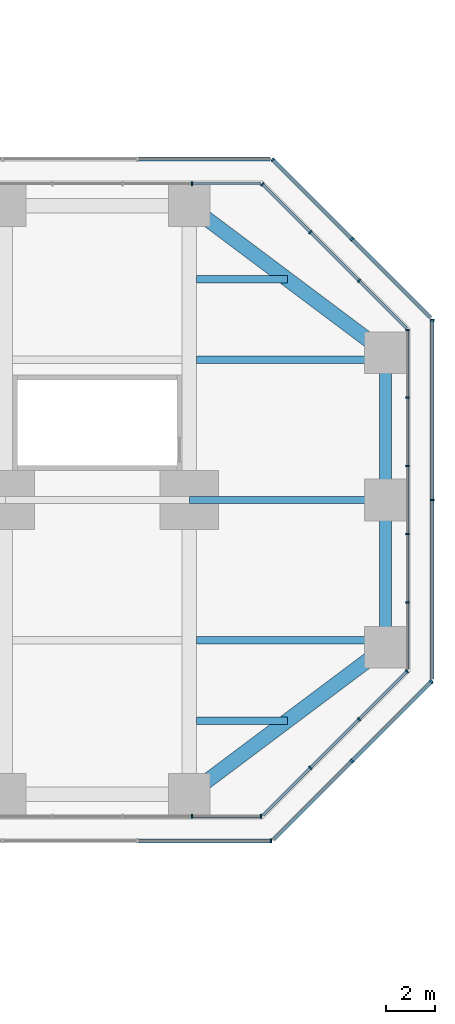
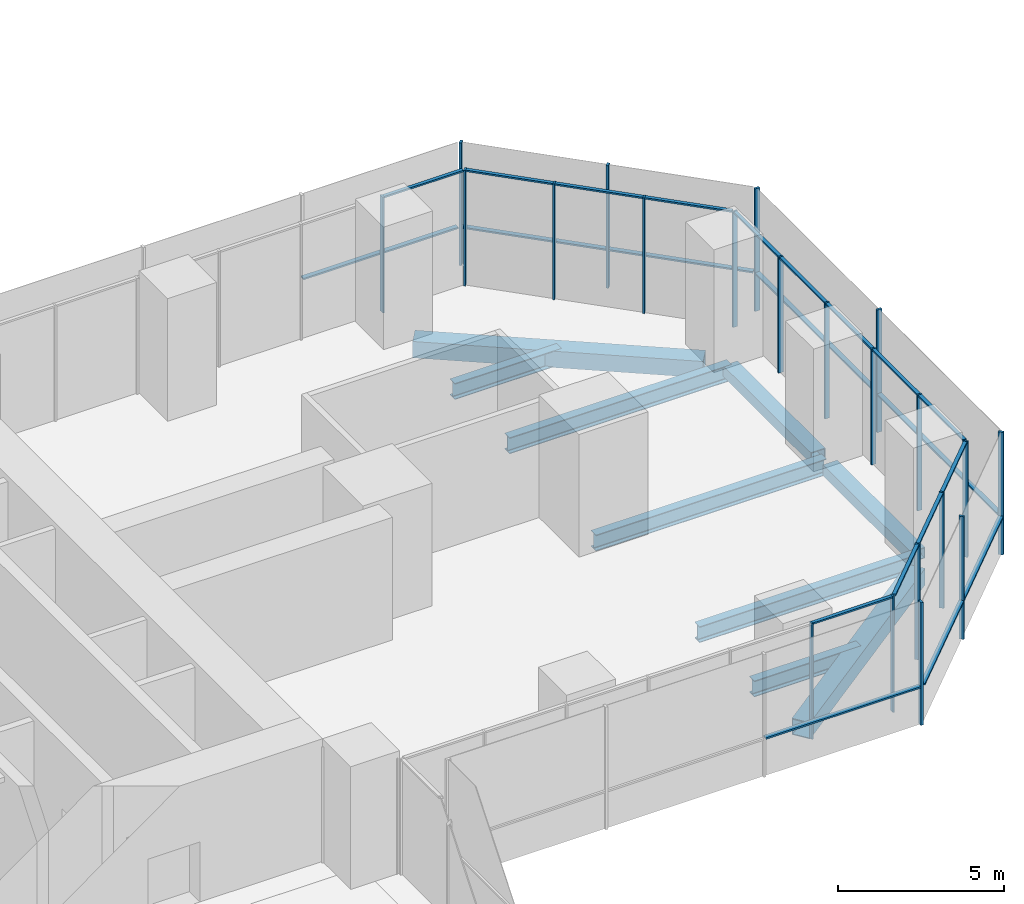
# One storey, part 11 of 21: 42 members, 9 beams, 10 elements without a shape of their own.
"""IFC4 building model written with IfcOpenShell, lengths in metres."""

import ifcopenshell
import ifcopenshell.guid

model = None  # the IFC model being written
_history = None  # IfcOwnerHistory: only IFC2X3 demands one
_inside = {}  # id of a spatial element -> (the spatial element, [elements in it])
_under = {}  # id of a project, library or spatial element -> (it, [spatial elements below it])
_declared = {}  # id of a project -> (the project, [libraries it declares])
_typed = {}  # id of a type object -> (the type object, [elements of that type])
_made_of = {}  # id of a material, layer set ... -> (it, [elements and type objects made of it])


def new_model(schema):
    """Start an empty IFC model of exactly this schema.

    Asked for "IFC4X3", IfcOpenShell would pick the latest addendum, in which some entities
    have other attributes; the version numbers below select the first issue.
    IFC2X3 requires an IfcOwnerHistory on every rooted entity: one is made here for all.
    """
    global model, _history
    if schema == "IFC4X3":
        model = ifcopenshell.file(schema_version=(4, 3, 0, 0))
    else:
        model = ifcopenshell.file(schema=schema)
    _inside.clear()
    _under.clear()
    _declared.clear()
    _typed.clear()
    _made_of.clear()
    _history = None
    if model.schema == "IFC2X3":
        org = make("IfcOrganization", Name="unknown")
        user = make(
            "IfcPersonAndOrganization",
            ThePerson=make("IfcPerson", FamilyName="unknown"),
            TheOrganization=org,
        )
        app = make(
            "IfcApplication",
            ApplicationDeveloper=org,
            Version="unknown",
            ApplicationFullName="unknown",
            ApplicationIdentifier="unknown",
        )
        _history = make(
            "IfcOwnerHistory",
            OwningUser=user,
            OwningApplication=app,
            ChangeAction="ADDED",
            CreationDate=0,
        )
    return model


def make(cls, **values):
    """One entity of the class cls with the attributes given. An attribute that is None is left unset."""
    return model.create_entity(
        cls, **{name: value for name, value in values.items() if value is not None}
    )


def rooted(cls, **values):
    """An entity with a GlobalId (a new one), such as an element, a storey or a relation."""
    return make(cls, GlobalId=ifcopenshell.guid.new(), OwnerHistory=_history, **values)


def si_unit(unit_type, name, prefix=None):
    """IfcSIUnit, for example si_unit("LENGTHUNIT", "METRE", prefix="MILLI")."""
    return make("IfcSIUnit", UnitType=unit_type, Prefix=prefix, Name=name)


def assignment(units):
    """IfcUnitAssignment: the units of a project."""
    return None if units is None else make("IfcUnitAssignment", Units=units)


def point(xyz):
    """IfcCartesianPoint."""
    return None if xyz is None else make("IfcCartesianPoint", Coordinates=xyz)


def direction(xyz):
    """IfcDirection."""
    return None if xyz is None else make("IfcDirection", DirectionRatios=xyz)


def frame(location, z_axis=None, x_axis=None):
    """IfcAxis2Placement3D, a coordinate frame: its origin and axes. An axis left out is left unset."""
    return make(
        "IfcAxis2Placement3D",
        Location=point(location),
        Axis=direction(z_axis),
        RefDirection=direction(x_axis),
    )


def frame_2d(location, x_axis=None):
    """IfcAxis2Placement2D, a coordinate frame in the plane: its origin and x axis."""
    return make(
        "IfcAxis2Placement2D", Location=point(location), RefDirection=direction(x_axis)
    )


def origin():
    """The frame at (0, 0, 0) with its axes left unset."""
    return frame((0.0, 0.0, 0.0))


def origin_2d():
    """The frame at (0, 0) in the plane with its x axis left unset."""
    return frame_2d((0.0, 0.0))


def place(relative_to, where):
    """IfcLocalPlacement: puts the frame where relative to a parent placement (None: the world)."""
    return make(
        "IfcLocalPlacement", PlacementRelTo=relative_to, RelativePlacement=where
    )


def context(
    kind, dimensions, precision=None, world=None, true_north=None, identifier=None
):
    """IfcGeometricRepresentationContext, for example the 3D "Model" context."""
    return make(
        "IfcGeometricRepresentationContext",
        ContextIdentifier=identifier,
        ContextType=kind,
        CoordinateSpaceDimension=dimensions,
        Precision=precision,
        WorldCoordinateSystem=world,
        TrueNorth=true_north,
    )


def subcontext(parent, identifier, kind, view, scale=None):
    """IfcGeometricRepresentationSubContext, for example "Body" below "Model"."""
    return make(
        "IfcGeometricRepresentationSubContext",
        ContextIdentifier=identifier,
        ContextType=kind,
        ParentContext=parent,
        TargetScale=scale,
        TargetView=view,
    )


def project(units=None, contexts=None):
    """IfcProject with its units and contexts."""
    return rooted(
        "IfcProject",
        Name="project",
        RepresentationContexts=contexts,
        UnitsInContext=assignment(units),
    )


def spatial(cls, under=None, at=None, **own):
    """A site, building, storey or space (cls), placed at a placement, below another one or the project."""
    s = rooted(cls, ObjectPlacement=at, **own)
    if under is not None:
        _under.setdefault(under.id(), (under, []))[1].append(s)
    return s


def profile(cls, at=None, kind="AREA", **sizes):
    """A parametric profile (cls). Its sizes go by their IFC names, for example OverallWidth=200.0."""
    return make(cls, ProfileType=kind, Position=at, **sizes)


def rectangle(**sizes):
    """IfcRectangleProfileDef."""
    return profile("IfcRectangleProfileDef", **sizes)


def hollow_rectangle(**sizes):
    """IfcRectangleHollowProfileDef."""
    return profile("IfcRectangleHollowProfileDef", **sizes)


def i_section(**sizes):
    """IfcIShapeProfileDef."""
    return profile("IfcIShapeProfileDef", **sizes)


def extrude(swept, where, along, depth):
    """IfcExtrudedAreaSolid: the profile swept, set in the frame where, extruded along a direction by depth."""
    return make(
        "IfcExtrudedAreaSolid",
        SweptArea=swept,
        Position=where,
        ExtrudedDirection=direction(along),
        Depth=depth,
    )


def shape(context_of_items, identifier, shape_type, items):
    """IfcShapeRepresentation: the items that make up one representation, for example the "Body"."""
    return make(
        "IfcShapeRepresentation",
        ContextOfItems=context_of_items,
        RepresentationIdentifier=identifier,
        RepresentationType=shape_type,
        Items=items,
    )


def material(Name=None, Category=None):
    """IfcMaterial."""
    return make("IfcMaterial", Name=Name, Category=Category)


def material_profile(
    of_material, cross_section, Name=None, Category=None, Priority=None
):
    """IfcMaterialProfile: a cross section and its material."""
    return make(
        "IfcMaterialProfile",
        Name=Name,
        Material=of_material,
        Profile=cross_section,
        Priority=Priority,
        Category=Category,
    )


def profile_set(profiles, Name=None, composite=None):
    """IfcMaterialProfileSet."""
    return make(
        "IfcMaterialProfileSet",
        Name=Name,
        MaterialProfiles=profiles,
        CompositeProfile=composite,
    )


def made_of(thing, what):
    """Note that an element or type object is made of a material, layer set ...; save() writes the relation."""
    if what is not None:
        _made_of.setdefault(what.id(), (what, []))[1].append(thing)
    return thing


def type_object(cls, material=None, **own):
    """A type object (cls), such as IfcWallType, which elements share."""
    return made_of(rooted(cls, **own), material)


def element(
    cls,
    number,
    at=None,
    inside=None,
    cuts=None,
    type_object=None,
    material=None,
    context=None,
    identifier="Body",
    shape_type=None,
    held_by="IfcProductDefinitionShape",
    body=None,
    shapes=None,
    **own,
):
    """One element of the class cls, such as IfcWall. Its Tag is "e" and its number.

    at: its placement. inside: the storey or other place that contains it. cuts: it is an
    opening in that element (IfcRelVoidsElement). A single representation is given by context,
    identifier, shape_type and body (its items); several are given by shapes. held_by: the class
    of the entity that holds the representations. save() writes the other relations.
    """
    e = rooted(cls, Tag="e%d" % number, ObjectPlacement=at, **own)
    if body is not None:
        shapes = [shape(context, identifier, shape_type, body)]
    if shapes is not None:
        e.Representation = make(held_by, Representations=shapes)
    if inside is not None:
        _inside.setdefault(inside.id(), (inside, []))[1].append(e)
    if cuts is not None:
        rooted(
            "IfcRelVoidsElement", RelatingBuildingElement=cuts, RelatedOpeningElement=e
        )
    if type_object is not None:
        _typed.setdefault(type_object.id(), (type_object, []))[1].append(e)
    return made_of(e, material)


def aggregate(whole, parts):
    """IfcRelAggregates: a whole, such as a stair, and the parts it consists of."""
    return rooted("IfcRelAggregates", RelatingObject=whole, RelatedObjects=parts)


def save(model, path):
    """Write the relations noted so far, then the file.

    IfcRelAggregates (storeys below a building ...), IfcRelContainedInSpatialStructure (elements
    in a storey), IfcRelDefinesByType, IfcRelAssociatesMaterial and IfcRelDeclares: one each for
    every whole, place, type object, material and project.
    """
    for whole, parts in _under.values():
        aggregate(whole, parts)
    for where, things in _inside.values():
        rooted(
            "IfcRelContainedInSpatialStructure",
            RelatedElements=things,
            RelatingStructure=where,
        )
    for kind, things in _typed.values():
        rooted("IfcRelDefinesByType", RelatedObjects=things, RelatingType=kind)
    for what, things in _made_of.values():
        rooted("IfcRelAssociatesMaterial", RelatedObjects=things, RelatingMaterial=what)
    for by, libraries in _declared.values():
        rooted("IfcRelDeclares", RelatingContext=by, RelatedDefinitions=libraries)
    model.write(path)


model = new_model("IFC4")

# Units and contexts
model_context = context("Model", 3, precision=1e-05, world=origin(), true_north=direction((0.0, 1.0)))
body_context = subcontext(model_context, "Body", "Model", "MODEL_VIEW")
ifc_project = project(units=[si_unit("LENGTHUNIT", "METRE"), si_unit("AREAUNIT", "SQUARE_METRE"), si_unit("VOLUMEUNIT", "CUBIC_METRE"), si_unit("PLANEANGLEUNIT", "RADIAN"), si_unit("MASSUNIT", "GRAM", prefix="KILO")], contexts=[model_context])

# Site, building, storey
site_placement = place(None, origin())
site = spatial("IfcSite", under=ifc_project, at=site_placement, CompositionType="ELEMENT")
building_placement = place(site_placement, origin())
building = spatial("IfcBuilding", under=site, at=building_placement, Name="Mizan Broadcast Tower", CompositionType="ELEMENT")
storey_placement = place(building_placement, frame((0.0, 0.0, 33.0)))
storey = spatial("IfcBuildingStorey", under=building, at=storey_placement, Name="L05", CompositionType="ELEMENT", Elevation=33.0)

# Beams
ifc_material_1 = material(Name="Steel S355", Category="steel")
ifc_material_profile_1 = material_profile(ifc_material_1, hollow_rectangle(XDim=0.5, YDim=0.39990234375, WallThickness=0.02490234375, at=origin_2d()), Name="BOX 400x500x25")
ifc_profile_set_1 = profile_set([ifc_material_profile_1], Name="Steel S355")
beam_type_1 = type_object("IfcBeamType", Name="EDGE BEAM BOX 400x500x25", PredefinedType="SPANDREL", material=ifc_profile_set_1)
for number, where, z_axis, x_axis, name in (
    (1, (35.0, -5.639892578125, -0.449951171875), (0.0, 1.0, 0.0), (-1.0, 0.0, 0.0), "Edge beam BOX 400x500x25 L05 east arm"),
    (2, (35.0, 5.639892578125, -0.449951171875), (0.0, -1.0, 0.0), (1.0, 0.0, 0.0), "Edge beam BOX 400x500x25 L05 east arm"),
):
    element("IfcBeam", number, at=place(storey_placement, frame(where, z_axis=z_axis, x_axis=x_axis)), inside=storey, type_object=beam_type_1, Name=name, PredefinedType="SPANDREL", context=body_context, shape_type="SweptSolid", body=[
        extrude(hollow_rectangle(XDim=0.5, YDim=0.39990234375, WallThickness=0.02490234375, at=origin_2d()), origin(), (0.0, 0.0, 1.0), 5.27978515625),
    ])
ifc_material_2 = material(Name="Steel S355", Category="steel")
ifc_material_profile_2 = material_profile(ifc_material_2, hollow_rectangle(XDim=0.60009765625, YDim=0.60009765625, WallThickness=0.030029296875, at=origin_2d()), Name="BOX 600x600x30")
ifc_profile_set_2 = profile_set([ifc_material_profile_2], Name="Steel S355")
beam_type_2 = type_object("IfcBeamType", Name="EDGE BEAM BOX 600x600x30", PredefinedType="SPANDREL", material=ifc_profile_set_2)
for number, where, z_axis, x_axis, name in (
    (3, (27.47998046875, -11.639892578125, -0.550048828125), (0.800013316712, 0.599982243973, 0.0), (-0.599982243973, 0.800013316712, 0.0), "Edge beam BOX 600x600x30 L05 east arm"),
    (4, (27.47998046875, 11.639892578125, -0.550048828125), (0.800013316712, -0.599982243973, 0.0), (0.599982243973, 0.800013316712, 0.0), "Edge beam BOX 600x600x30 L05 east arm"),
):
    element("IfcBeam", number, at=place(storey_placement, frame(where, z_axis=z_axis, x_axis=x_axis)), inside=storey, type_object=beam_type_2, Name=name, PredefinedType="SPANDREL", context=body_context, shape_type="SweptSolid", body=[
        extrude(hollow_rectangle(XDim=0.60009765625, YDim=0.60009765625, WallThickness=0.030029296875, at=origin_2d()), origin(), (0.0, 0.0, 1.0), 8.7998046875),
    ])

# Curtain wall, members
ifc_material_3 = material(Name="Aluminium framed glazing", Category="aluminium")
curtain_wall_type_1 = type_object("IfcCurtainWallType", Name="PODIUM CURTAIN WALL", PredefinedType="USERDEFINED", material=ifc_material_3)
curtain_wall_1_placement = place(storey_placement, origin())
curtain_wall_1 = element("IfcCurtainWall", 5, at=curtain_wall_1_placement, inside=storey, type_object=curtain_wall_type_1, Name="Podium curtain wall L05 E side", ObjectType="PODIUM CURTAIN WALL", PredefinedType="USERDEFINED")
ifc_material_4 = material(Name="Aluminium, pale anodised", Category="aluminium")
ifc_material_profile_3 = material_profile(ifc_material_4, rectangle(XDim=0.159912109375, YDim=0.06005859375, at=origin_2d()), Name="MULLION 160x60")
ifc_profile_set_3 = profile_set([ifc_material_profile_3], Name="Aluminium, pale anodised")
member_type_1 = type_object("IfcMemberType", Name="INNER SKIN MULLION 60x160", PredefinedType="MULLION", material=ifc_profile_set_3)
member_1_placement = place(storey_placement, frame((27.115478515625, -12.89990234375, 0.0), z_axis=(0.0, 0.0, 1.0), x_axis=(0.0, 1.0, 0.0)))
member_1 = element("IfcMember", 6, at=member_1_placement, type_object=member_type_1, Name="Podium curtain wall L05 E side mullion 6", PredefinedType="MULLION", context=body_context, shape_type="SweptSolid", body=[
    extrude(rectangle(XDim=0.159912109375, YDim=0.06005859375, at=origin_2d()), origin(), (0.0, 0.0, 1.0), 4.25),
])
member_2_placement = place(storey_placement, frame((29.928466796875, -12.89990234375, 0.0), z_axis=(0.0, 0.0, 1.0), x_axis=(0.0, 1.0, 0.0)))
member_2 = element("IfcMember", 7, at=member_2_placement, type_object=member_type_1, Name="Podium curtain wall L05 E side mullion 7", PredefinedType="MULLION", context=body_context, shape_type="SweptSolid", body=[
    extrude(rectangle(XDim=0.159912109375, YDim=0.06005859375, at=origin_2d()), origin(), (0.0, 0.0, 1.0), 4.25),
])

curtain_wall_2_placement = place(storey_placement, origin())
curtain_wall_2 = element("IfcCurtainWall", 8, at=curtain_wall_2_placement, inside=storey, type_object=curtain_wall_type_1, Name="Podium curtain wall L05 E chamfer", ObjectType="PODIUM CURTAIN WALL", PredefinedType="USERDEFINED")
member_3_placement = place(storey_placement, frame((31.93896484375, -10.91943359375, 0.0), z_axis=(0.0, 0.0, 1.0), x_axis=(-0.707106781187, 0.707106781187, 0.0)))
member_3 = element("IfcMember", 9, at=member_3_placement, type_object=member_type_1, Name="Podium curtain wall L05 E chamfer mullion 2", PredefinedType="MULLION", context=body_context, shape_type="SweptSolid", body=[
    extrude(rectangle(XDim=0.159912109375, YDim=0.06005859375, at=origin_2d()), origin(), (0.0, 0.0, 1.0), 4.25),
])
member_4_placement = place(storey_placement, frame((33.91943359375, -8.93896484375, 0.0), z_axis=(0.0, 0.0, 1.0), x_axis=(-0.707106781187, 0.707106781187, 0.0)))
member_4 = element("IfcMember", 10, at=member_4_placement, type_object=member_type_1, Name="Podium curtain wall L05 E chamfer mullion 3", PredefinedType="MULLION", context=body_context, shape_type="SweptSolid", body=[
    extrude(rectangle(XDim=0.159912109375, YDim=0.06005859375, at=origin_2d()), origin(), (0.0, 0.0, 1.0), 4.25),
])
member_5_placement = place(storey_placement, frame((35.87890625, -6.979736328125, 0.0), z_axis=(0.0, 0.0, 1.0), x_axis=(-0.707106781187, 0.707106781187, 0.0)))
member_5 = element("IfcMember", 11, at=member_5_placement, type_object=member_type_1, Name="Podium curtain wall L05 E chamfer mullion 4", PredefinedType="MULLION", context=body_context, shape_type="SweptSolid", body=[
    extrude(rectangle(XDim=0.159912109375, YDim=0.06005859375, at=origin_2d()), origin(), (0.0, 0.0, 1.0), 4.25),
])

curtain_wall_3_placement = place(storey_placement, origin())
curtain_wall_3 = element("IfcCurtainWall", 12, at=curtain_wall_3_placement, inside=storey, type_object=curtain_wall_type_1, Name="Podium curtain wall L05 E end", ObjectType="PODIUM CURTAIN WALL", PredefinedType="USERDEFINED")
member_6_placement = place(storey_placement, frame((35.89990234375, -4.175048828125, 0.0), z_axis=(0.0, 0.0, 1.0), x_axis=(-1.0, 0.0, 0.0)))
member_6 = element("IfcMember", 13, at=member_6_placement, type_object=member_type_1, Name="Podium curtain wall L05 E end mullion 2", PredefinedType="MULLION", context=body_context, shape_type="SweptSolid", body=[
    extrude(rectangle(XDim=0.159912109375, YDim=0.06005859375, at=origin_2d()), origin(), (0.0, 0.0, 1.0), 4.25),
])
member_7_placement = place(storey_placement, frame((35.89990234375, -1.3916015625, 0.0), z_axis=(0.0, 0.0, 1.0), x_axis=(-1.0, 0.0, 0.0)))
member_7 = element("IfcMember", 14, at=member_7_placement, type_object=member_type_1, Name="Podium curtain wall L05 E end mullion 3", PredefinedType="MULLION", context=body_context, shape_type="SweptSolid", body=[
    extrude(rectangle(XDim=0.159912109375, YDim=0.06005859375, at=origin_2d()), origin(), (0.0, 0.0, 1.0), 4.25),
])
member_8_placement = place(storey_placement, frame((35.89990234375, 1.3916015625, 0.0), z_axis=(0.0, 0.0, 1.0), x_axis=(-1.0, 0.0, 0.0)))
member_8 = element("IfcMember", 15, at=member_8_placement, type_object=member_type_1, Name="Podium curtain wall L05 E end mullion 4", PredefinedType="MULLION", context=body_context, shape_type="SweptSolid", body=[
    extrude(rectangle(XDim=0.159912109375, YDim=0.06005859375, at=origin_2d()), origin(), (0.0, 0.0, 1.0), 4.25),
])
member_9_placement = place(storey_placement, frame((35.89990234375, 4.175048828125, 0.0), z_axis=(0.0, 0.0, 1.0), x_axis=(-1.0, 0.0, 0.0)))
member_9 = element("IfcMember", 16, at=member_9_placement, type_object=member_type_1, Name="Podium curtain wall L05 E end mullion 5", PredefinedType="MULLION", context=body_context, shape_type="SweptSolid", body=[
    extrude(rectangle(XDim=0.159912109375, YDim=0.06005859375, at=origin_2d()), origin(), (0.0, 0.0, 1.0), 4.25),
])
member_10_placement = place(storey_placement, frame((35.89990234375, 6.928466796875, 0.0), z_axis=(0.0, 0.0, 1.0), x_axis=(-1.0, 0.0, 0.0)))
member_10 = element("IfcMember", 17, at=member_10_placement, type_object=member_type_1, Name="Podium curtain wall L05 E end mullion 6", PredefinedType="MULLION", context=body_context, shape_type="SweptSolid", body=[
    extrude(rectangle(XDim=0.159912109375, YDim=0.06005859375, at=origin_2d()), origin(), (0.0, 0.0, 1.0), 4.25),
])

curtain_wall_4_placement = place(storey_placement, origin())
curtain_wall_4 = element("IfcCurtainWall", 18, at=curtain_wall_4_placement, inside=storey, type_object=curtain_wall_type_1, Name="Podium curtain wall L05 E chamfer", ObjectType="PODIUM CURTAIN WALL", PredefinedType="USERDEFINED")
member_11_placement = place(storey_placement, frame((33.91943359375, 8.93896484375, 0.0), z_axis=(0.0, 0.0, 1.0), x_axis=(-0.707106781187, -0.707106781187, 0.0)))
member_11 = element("IfcMember", 19, at=member_11_placement, type_object=member_type_1, Name="Podium curtain wall L05 E chamfer mullion 2", PredefinedType="MULLION", context=body_context, shape_type="SweptSolid", body=[
    extrude(rectangle(XDim=0.159912109375, YDim=0.06005859375, at=origin_2d()), origin(), (0.0, 0.0, 1.0), 4.25),
])
member_12_placement = place(storey_placement, frame((31.93896484375, 10.91943359375, 0.0), z_axis=(0.0, 0.0, 1.0), x_axis=(-0.707106781187, -0.707106781187, 0.0)))
member_12 = element("IfcMember", 20, at=member_12_placement, type_object=member_type_1, Name="Podium curtain wall L05 E chamfer mullion 3", PredefinedType="MULLION", context=body_context, shape_type="SweptSolid", body=[
    extrude(rectangle(XDim=0.159912109375, YDim=0.06005859375, at=origin_2d()), origin(), (0.0, 0.0, 1.0), 4.25),
])
member_13_placement = place(storey_placement, frame((29.979736328125, 12.87890625, 0.0), z_axis=(0.0, 0.0, 1.0), x_axis=(-0.707106781187, -0.707106781187, 0.0)))
member_13 = element("IfcMember", 21, at=member_13_placement, type_object=member_type_1, Name="Podium curtain wall L05 E chamfer mullion 4", PredefinedType="MULLION", context=body_context, shape_type="SweptSolid", body=[
    extrude(rectangle(XDim=0.159912109375, YDim=0.06005859375, at=origin_2d()), origin(), (0.0, 0.0, 1.0), 4.25),
])

# Curtain wall, member
curtain_wall_5_placement = place(storey_placement, origin())
curtain_wall_5 = element("IfcCurtainWall", 22, at=curtain_wall_5_placement, inside=storey, type_object=curtain_wall_type_1, Name="Podium curtain wall L05 E side", ObjectType="PODIUM CURTAIN WALL", PredefinedType="USERDEFINED")
member_14_placement = place(storey_placement, frame((27.115478515625, 12.89990234375, 0.0), z_axis=(0.0, 0.0, 1.0), x_axis=(0.0, -1.0, 0.0)))
member_14 = element("IfcMember", 23, at=member_14_placement, type_object=member_type_1, Name="Podium curtain wall L05 E side mullion 2", PredefinedType="MULLION", context=body_context, shape_type="SweptSolid", body=[
    extrude(rectangle(XDim=0.159912109375, YDim=0.06005859375, at=origin_2d()), origin(), (0.0, 0.0, 1.0), 4.25),
])

# Member
ifc_material_5 = material(Name="Aluminium, pale anodised", Category="aluminium")
ifc_material_profile_4 = material_profile(ifc_material_5, rectangle(XDim=0.1201171875, YDim=0.06005859375, at=origin_2d()), Name="TRANSOM 120x60")
ifc_profile_set_4 = profile_set([ifc_material_profile_4], Name="Aluminium, pale anodised")
member_type_2 = type_object("IfcMemberType", Name="INNER SKIN TRANSOM 60x120", PredefinedType="USERDEFINED", material=ifc_profile_set_4)
member_15_placement = place(storey_placement, frame((27.1455078125, -12.89990234375, 4.219970703125), z_axis=(1.0, 0.0, 0.0), x_axis=(0.0, 1.0, 0.0)))
member_15 = element("IfcMember", 24, at=member_15_placement, type_object=member_type_2, Name="Podium curtain wall L05 E side transom 6.1", ObjectType="TRANSOM", PredefinedType="USERDEFINED", context=body_context, shape_type="SweptSolid", body=[
    extrude(rectangle(XDim=0.1201171875, YDim=0.06005859375, at=origin_2d()), origin(), (0.0, 0.0, 1.0), 2.753173828125),
])

aggregate(curtain_wall_1, [member_1, member_2, member_15])

member_16_placement = place(storey_placement, frame((30.0009765625, -12.857666015625, 4.219970703125), z_axis=(0.707061749709, 0.707151809797, 0.0), x_axis=(-0.707151809797, 0.707061749709, 0.0)))
member_16 = element("IfcMember", 25, at=member_16_placement, type_object=member_type_2, Name="Podium curtain wall L05 E chamfer transom 1.1", ObjectType="TRANSOM", PredefinedType="USERDEFINED", context=body_context, shape_type="SweptSolid", body=[
    extrude(rectangle(XDim=0.1201171875, YDim=0.06005859375, at=origin_2d()), origin(), (0.0, 0.0, 1.0), 2.7109375),
])

member_17_placement = place(storey_placement, frame((31.960205078125, -10.898193359375, 4.219970703125), z_axis=(0.707106781187, 0.707106781187, 0.0), x_axis=(-0.707106781187, 0.707106781187, 0.0)))
member_17 = element("IfcMember", 26, at=member_17_placement, type_object=member_type_2, Name="Podium curtain wall L05 E chamfer transom 2.1", ObjectType="TRANSOM", PredefinedType="USERDEFINED", context=body_context, shape_type="SweptSolid", body=[
    extrude(rectangle(XDim=0.1201171875, YDim=0.06005859375, at=origin_2d()), origin(), (0.0, 0.0, 1.0), 2.74072265625),
])

member_18_placement = place(storey_placement, frame((33.940673828125, -8.917724609375, 4.219970703125), z_axis=(0.707151809797, 0.707061749709, 0.0), x_axis=(-0.707061749709, 0.707151809797, 0.0)))
member_18 = element("IfcMember", 27, at=member_18_placement, type_object=member_type_2, Name="Podium curtain wall L05 E chamfer transom 3.1", ObjectType="TRANSOM", PredefinedType="USERDEFINED", context=body_context, shape_type="SweptSolid", body=[
    extrude(rectangle(XDim=0.1201171875, YDim=0.06005859375, at=origin_2d()), origin(), (0.0, 0.0, 1.0), 2.7109375),
])

aggregate(curtain_wall_2, [member_3, member_4, member_5, member_16, member_17, member_18])

member_19_placement = place(storey_placement, frame((35.89990234375, -6.898681640625, 4.219970703125), z_axis=(0.0, 1.0, 0.0), x_axis=(-1.0, 0.0, 0.0)))
member_19 = element("IfcMember", 28, at=member_19_placement, type_object=member_type_2, Name="Podium curtain wall L05 E end transom 1.1", ObjectType="TRANSOM", PredefinedType="USERDEFINED", context=body_context, shape_type="SweptSolid", body=[
    extrude(rectangle(XDim=0.1201171875, YDim=0.06005859375, at=origin_2d()), origin(), (0.0, 0.0, 1.0), 2.693603515625),
])

member_20_placement = place(storey_placement, frame((35.89990234375, -4.145263671875, 4.219970703125), z_axis=(0.0, 1.0, 0.0), x_axis=(-1.0, 0.0, 0.0)))
member_20 = element("IfcMember", 29, at=member_20_placement, type_object=member_type_2, Name="Podium curtain wall L05 E end transom 2.1", ObjectType="TRANSOM", PredefinedType="USERDEFINED", context=body_context, shape_type="SweptSolid", body=[
    extrude(rectangle(XDim=0.1201171875, YDim=0.06005859375, at=origin_2d()), origin(), (0.0, 0.0, 1.0), 2.7236328125),
])

member_21_placement = place(storey_placement, frame((35.89990234375, -1.36181640625, 4.219970703125), z_axis=(0.0, 1.0, 0.0), x_axis=(-1.0, 0.0, 0.0)))
member_21 = element("IfcMember", 30, at=member_21_placement, type_object=member_type_2, Name="Podium curtain wall L05 E end transom 3.1", ObjectType="TRANSOM", PredefinedType="USERDEFINED", context=body_context, shape_type="SweptSolid", body=[
    extrude(rectangle(XDim=0.1201171875, YDim=0.06005859375, at=origin_2d()), origin(), (0.0, 0.0, 1.0), 2.7236328125),
])

member_22_placement = place(storey_placement, frame((35.89990234375, 1.421630859375, 4.219970703125), z_axis=(0.0, 1.0, 0.0), x_axis=(-1.0, 0.0, 0.0)))
member_22 = element("IfcMember", 31, at=member_22_placement, type_object=member_type_2, Name="Podium curtain wall L05 E end transom 4.1", ObjectType="TRANSOM", PredefinedType="USERDEFINED", context=body_context, shape_type="SweptSolid", body=[
    extrude(rectangle(XDim=0.1201171875, YDim=0.06005859375, at=origin_2d()), origin(), (0.0, 0.0, 1.0), 2.7236328125),
])

member_23_placement = place(storey_placement, frame((35.89990234375, 4.205078125, 4.219970703125), z_axis=(0.0, 1.0, 0.0), x_axis=(-1.0, 0.0, 0.0)))
member_23 = element("IfcMember", 32, at=member_23_placement, type_object=member_type_2, Name="Podium curtain wall L05 E end transom 5.1", ObjectType="TRANSOM", PredefinedType="USERDEFINED", context=body_context, shape_type="SweptSolid", body=[
    extrude(rectangle(XDim=0.1201171875, YDim=0.06005859375, at=origin_2d()), origin(), (0.0, 0.0, 1.0), 2.693603515625),
])

aggregate(curtain_wall_3, [member_6, member_7, member_8, member_9, member_10, member_19, member_20, member_21, member_22, member_23])

member_24_placement = place(storey_placement, frame((35.857666015625, 7.0009765625, 4.219970703125), z_axis=(-0.707151809797, 0.707061749709, 0.0), x_axis=(-0.707061749709, -0.707151809797, 0.0)))
member_24 = element("IfcMember", 33, at=member_24_placement, type_object=member_type_2, Name="Podium curtain wall L05 E chamfer transom 1.1", ObjectType="TRANSOM", PredefinedType="USERDEFINED", context=body_context, shape_type="SweptSolid", body=[
    extrude(rectangle(XDim=0.1201171875, YDim=0.06005859375, at=origin_2d()), origin(), (0.0, 0.0, 1.0), 2.7109375),
])

member_25_placement = place(storey_placement, frame((33.898193359375, 8.960205078125, 4.219970703125), z_axis=(-0.707106781187, 0.707106781187, 0.0), x_axis=(-0.707106781187, -0.707106781187, 0.0)))
member_25 = element("IfcMember", 34, at=member_25_placement, type_object=member_type_2, Name="Podium curtain wall L05 E chamfer transom 2.1", ObjectType="TRANSOM", PredefinedType="USERDEFINED", context=body_context, shape_type="SweptSolid", body=[
    extrude(rectangle(XDim=0.1201171875, YDim=0.06005859375, at=origin_2d()), origin(), (0.0, 0.0, 1.0), 2.74072265625),
])

member_26_placement = place(storey_placement, frame((31.917724609375, 10.940673828125, 4.219970703125), z_axis=(-0.707061749709, 0.707151809797, 0.0), x_axis=(-0.707151809797, -0.707061749709, 0.0)))
member_26 = element("IfcMember", 35, at=member_26_placement, type_object=member_type_2, Name="Podium curtain wall L05 E chamfer transom 3.1", ObjectType="TRANSOM", PredefinedType="USERDEFINED", context=body_context, shape_type="SweptSolid", body=[
    extrude(rectangle(XDim=0.1201171875, YDim=0.06005859375, at=origin_2d()), origin(), (0.0, 0.0, 1.0), 2.7109375),
])

aggregate(curtain_wall_4, [member_11, member_12, member_13, member_24, member_25, member_26])

member_27_placement = place(storey_placement, frame((29.898681640625, 12.89990234375, 4.219970703125), z_axis=(-1.0, 0.0, 0.0), x_axis=(0.0, -1.0, 0.0)))
member_27 = element("IfcMember", 36, at=member_27_placement, type_object=member_type_2, Name="Podium curtain wall L05 E side transom 1.1", ObjectType="TRANSOM", PredefinedType="USERDEFINED", context=body_context, shape_type="SweptSolid", body=[
    extrude(rectangle(XDim=0.1201171875, YDim=0.06005859375, at=origin_2d()), origin(), (0.0, 0.0, 1.0), 2.753173828125),
])

aggregate(curtain_wall_5, [member_14, member_27])

# Curtain wall, member
ifc_material_6 = material(Name="Aluminium framed glazing", Category="aluminium")
curtain_wall_type_2 = type_object("IfcCurtainWallType", Name="OUTER SKIN", PredefinedType="USERDEFINED", material=ifc_material_6)
curtain_wall_6_placement = place(storey_placement, origin())
curtain_wall_6 = element("IfcCurtainWall", 37, at=curtain_wall_6_placement, inside=storey, type_object=curtain_wall_type_2, Name="Outer skin L05 E side", ObjectType="OUTER SKIN", PredefinedType="USERDEFINED")
ifc_material_7 = material(Name="Aluminium, pale anodised", Category="aluminium")
ifc_material_profile_5 = material_profile(ifc_material_7, rectangle(XDim=0.159912109375, YDim=0.080078125, at=origin_2d()), Name="MULLION 160x80")
ifc_profile_set_5 = profile_set([ifc_material_profile_5], Name="Aluminium, pale anodised")
member_type_3 = type_object("IfcMemberType", Name="OUTER SKIN MULLION 80x160", PredefinedType="MULLION", material=ifc_profile_set_5)
member_28_placement = place(storey_placement, frame((30.332763671875, -13.89990234375, 0.0), z_axis=(0.0, 0.0, 1.0), x_axis=(0.0, 1.0, 0.0)))
member_28 = element("IfcMember", 38, at=member_28_placement, type_object=member_type_3, Name="Outer skin L05 E side mullion 4", PredefinedType="MULLION", context=body_context, shape_type="SweptSolid", body=[
    extrude(rectangle(XDim=0.159912109375, YDim=0.080078125, at=origin_2d()), origin(), (0.0, 0.0, 1.0), 4.5),
])

# Curtain wall, members
curtain_wall_7_placement = place(storey_placement, origin())
curtain_wall_7 = element("IfcCurtainWall", 39, at=curtain_wall_7_placement, inside=storey, type_object=curtain_wall_type_2, Name="Outer skin L05 E chamfer", ObjectType="OUTER SKIN", PredefinedType="USERDEFINED")
member_29_placement = place(storey_placement, frame((33.636474609375, -10.636474609375, 0.0), z_axis=(0.0, 0.0, 1.0), x_axis=(-0.707106781187, 0.707106781187, 0.0)))
member_29 = element("IfcMember", 40, at=member_29_placement, type_object=member_type_3, Name="Outer skin L05 E chamfer mullion 2", PredefinedType="MULLION", context=body_context, shape_type="SweptSolid", body=[
    extrude(rectangle(XDim=0.159912109375, YDim=0.080078125, at=origin_2d()), origin(), (0.0, 0.0, 1.0), 4.5),
])
member_30_placement = place(storey_placement, frame((36.871826171875, -7.401123046875, 0.0), z_axis=(0.0, 0.0, 1.0), x_axis=(-0.707106781187, 0.707106781187, 0.0)))
member_30 = element("IfcMember", 41, at=member_30_placement, type_object=member_type_3, Name="Outer skin L05 E chamfer mullion 3", PredefinedType="MULLION", context=body_context, shape_type="SweptSolid", body=[
    extrude(rectangle(XDim=0.159912109375, YDim=0.080078125, at=origin_2d()), origin(), (0.0, 0.0, 1.0), 4.5),
])

curtain_wall_8_placement = place(storey_placement, origin())
curtain_wall_8 = element("IfcCurtainWall", 42, at=curtain_wall_8_placement, inside=storey, type_object=curtain_wall_type_2, Name="Outer skin L05 E end", ObjectType="OUTER SKIN", PredefinedType="USERDEFINED")
member_31_placement = place(storey_placement, frame((36.89990234375, 0.0, 0.0), z_axis=(0.0, 0.0, 1.0), x_axis=(-1.0, 0.0, 0.0)))
member_31 = element("IfcMember", 43, at=member_31_placement, type_object=member_type_3, Name="Outer skin L05 E end mullion 2", PredefinedType="MULLION", context=body_context, shape_type="SweptSolid", body=[
    extrude(rectangle(XDim=0.159912109375, YDim=0.080078125, at=origin_2d()), origin(), (0.0, 0.0, 1.0), 4.5),
])
member_32_placement = place(storey_placement, frame((36.89990234375, 7.332763671875, 0.0), z_axis=(0.0, 0.0, 1.0), x_axis=(-1.0, 0.0, 0.0)))
member_32 = element("IfcMember", 44, at=member_32_placement, type_object=member_type_3, Name="Outer skin L05 E end mullion 3", PredefinedType="MULLION", context=body_context, shape_type="SweptSolid", body=[
    extrude(rectangle(XDim=0.159912109375, YDim=0.080078125, at=origin_2d()), origin(), (0.0, 0.0, 1.0), 4.5),
])

curtain_wall_9_placement = place(storey_placement, origin())
curtain_wall_9 = element("IfcCurtainWall", 45, at=curtain_wall_9_placement, inside=storey, type_object=curtain_wall_type_2, Name="Outer skin L05 E chamfer", ObjectType="OUTER SKIN", PredefinedType="USERDEFINED")
member_33_placement = place(storey_placement, frame((33.636474609375, 10.636474609375, 0.0), z_axis=(0.0, 0.0, 1.0), x_axis=(-0.707106781187, -0.707106781187, 0.0)))
member_33 = element("IfcMember", 46, at=member_33_placement, type_object=member_type_3, Name="Outer skin L05 E chamfer mullion 2", PredefinedType="MULLION", context=body_context, shape_type="SweptSolid", body=[
    extrude(rectangle(XDim=0.159912109375, YDim=0.080078125, at=origin_2d()), origin(), (0.0, 0.0, 1.0), 4.5),
])
member_34_placement = place(storey_placement, frame((30.401123046875, 13.871826171875, 0.0), z_axis=(0.0, 0.0, 1.0), x_axis=(-0.707106781187, -0.707106781187, 0.0)))
member_34 = element("IfcMember", 47, at=member_34_placement, type_object=member_type_3, Name="Outer skin L05 E chamfer mullion 3", PredefinedType="MULLION", context=body_context, shape_type="SweptSolid", body=[
    extrude(rectangle(XDim=0.159912109375, YDim=0.080078125, at=origin_2d()), origin(), (0.0, 0.0, 1.0), 4.5),
])

# Member
ifc_material_8 = material(Name="Aluminium, pale anodised", Category="aluminium")
ifc_material_profile_6 = material_profile(ifc_material_8, rectangle(XDim=0.159912109375, YDim=0.06005859375, at=origin_2d()), Name="TRANSOM 160x60")
ifc_profile_set_6 = profile_set([ifc_material_profile_6], Name="Aluminium, pale anodised")
member_type_4 = type_object("IfcMemberType", Name="OUTER SKIN TRANSOM 60x160", PredefinedType="USERDEFINED", material=ifc_profile_set_6)
member_35_placement = place(storey_placement, frame((24.921875, -13.89990234375, 1.39990234375), z_axis=(1.0, 0.0, 0.0), x_axis=(0.0, 1.0, 0.0)))
member_35 = element("IfcMember", 48, at=member_35_placement, type_object=member_type_4, Name="Outer skin L05 E side transom 3.1", ObjectType="TRANSOM", PredefinedType="USERDEFINED", context=body_context, shape_type="SweptSolid", body=[
    extrude(rectangle(XDim=0.159912109375, YDim=0.06005859375, at=origin_2d()), origin(), (0.0, 0.0, 1.0), 5.370849609375),
])

aggregate(curtain_wall_6, [member_28, member_35])

member_36_placement = place(storey_placement, frame((30.429443359375, -13.843505859375, 1.39990234375), z_axis=(0.707106781187, 0.707106781187, 0.0), x_axis=(-0.707106781187, 0.707106781187, 0.0)))
member_36 = element("IfcMember", 49, at=member_36_placement, type_object=member_type_4, Name="Outer skin L05 E chamfer transom 1.1", ObjectType="TRANSOM", PredefinedType="USERDEFINED", context=body_context, shape_type="SweptSolid", body=[
    extrude(rectangle(XDim=0.159912109375, YDim=0.06005859375, at=origin_2d()), origin(), (0.0, 0.0, 1.0), 4.495361328125),
])

member_37_placement = place(storey_placement, frame((33.664794921875, -10.608154296875, 1.39990234375), z_axis=(0.707106781187, 0.707106781187, 0.0), x_axis=(-0.707106781187, 0.707106781187, 0.0)))
member_37 = element("IfcMember", 50, at=member_37_placement, type_object=member_type_4, Name="Outer skin L05 E chamfer transom 2.1", ObjectType="TRANSOM", PredefinedType="USERDEFINED", context=body_context, shape_type="SweptSolid", body=[
    extrude(rectangle(XDim=0.159912109375, YDim=0.06005859375, at=origin_2d()), origin(), (0.0, 0.0, 1.0), 4.495361328125),
])

aggregate(curtain_wall_7, [member_29, member_30, member_36, member_37])

member_38_placement = place(storey_placement, frame((36.89990234375, -7.292724609375, 1.39990234375), z_axis=(0.0, 1.0, 0.0), x_axis=(-1.0, 0.0, 0.0)))
member_38 = element("IfcMember", 51, at=member_38_placement, type_object=member_type_4, Name="Outer skin L05 E end transom 1.1", ObjectType="TRANSOM", PredefinedType="USERDEFINED", context=body_context, shape_type="SweptSolid", body=[
    extrude(rectangle(XDim=0.159912109375, YDim=0.06005859375, at=origin_2d()), origin(), (0.0, 0.0, 1.0), 7.252685546875),
])

member_39_placement = place(storey_placement, frame((36.89990234375, 0.0400390625, 1.39990234375), z_axis=(0.0, 1.0, 0.0), x_axis=(-1.0, 0.0, 0.0)))
member_39 = element("IfcMember", 52, at=member_39_placement, type_object=member_type_4, Name="Outer skin L05 E end transom 2.1", ObjectType="TRANSOM", PredefinedType="USERDEFINED", context=body_context, shape_type="SweptSolid", body=[
    extrude(rectangle(XDim=0.159912109375, YDim=0.06005859375, at=origin_2d()), origin(), (0.0, 0.0, 1.0), 7.252685546875),
])

aggregate(curtain_wall_8, [member_31, member_32, member_38, member_39])

member_40_placement = place(storey_placement, frame((36.843505859375, 7.429443359375, 1.39990234375), z_axis=(-0.707106781187, 0.707106781187, 0.0), x_axis=(-0.707106781187, -0.707106781187, 0.0)))
member_40 = element("IfcMember", 53, at=member_40_placement, type_object=member_type_4, Name="Outer skin L05 E chamfer transom 1.1", ObjectType="TRANSOM", PredefinedType="USERDEFINED", context=body_context, shape_type="SweptSolid", body=[
    extrude(rectangle(XDim=0.159912109375, YDim=0.06005859375, at=origin_2d()), origin(), (0.0, 0.0, 1.0), 4.495361328125),
])

member_41_placement = place(storey_placement, frame((33.608154296875, 10.664794921875, 1.39990234375), z_axis=(-0.707106781187, 0.707106781187, 0.0), x_axis=(-0.707106781187, -0.707106781187, 0.0)))
member_41 = element("IfcMember", 54, at=member_41_placement, type_object=member_type_4, Name="Outer skin L05 E chamfer transom 2.1", ObjectType="TRANSOM", PredefinedType="USERDEFINED", context=body_context, shape_type="SweptSolid", body=[
    extrude(rectangle(XDim=0.159912109375, YDim=0.06005859375, at=origin_2d()), origin(), (0.0, 0.0, 1.0), 4.495361328125),
])

aggregate(curtain_wall_9, [member_33, member_34, member_40, member_41])

# Curtain wall, member
curtain_wall_10_placement = place(storey_placement, origin())
curtain_wall_10 = element("IfcCurtainWall", 55, at=curtain_wall_10_placement, inside=storey, type_object=curtain_wall_type_2, Name="Outer skin L05 E side", ObjectType="OUTER SKIN", PredefinedType="USERDEFINED")
member_42_placement = place(storey_placement, frame((30.292724609375, 13.89990234375, 1.39990234375), z_axis=(-1.0, 0.0, 0.0), x_axis=(0.0, -1.0, 0.0)))
member_42 = element("IfcMember", 56, at=member_42_placement, type_object=member_type_4, Name="Outer skin L05 E side transom 1.1", ObjectType="TRANSOM", PredefinedType="USERDEFINED", context=body_context, shape_type="SweptSolid", body=[
    extrude(rectangle(XDim=0.159912109375, YDim=0.06005859375, at=origin_2d()), origin(), (0.0, 0.0, 1.0), 5.370849609375),
])
aggregate(curtain_wall_10, [member_42])

# Beams
ifc_material_9 = material(Name="Steel S355", Category="steel")
ifc_material_profile_7 = material_profile(ifc_material_9, i_section(OverallWidth=0.300048828125, OverallDepth=0.590087890625, WebThickness=0.012939453125, FlangeThickness=0.02490234375, FilletRadius=0.027099609375, at=origin_2d()), Name="HEA 600")
ifc_profile_set_7 = profile_set([ifc_material_profile_7], Name="Steel S355")
beam_type_3 = type_object("IfcBeamType", Name="SECONDARY BEAM HEA 600", PredefinedType="JOIST", material=ifc_profile_set_7)
beam_1_placement = place(storey_placement, frame((27.300048828125, -5.71435546875, -0.544921875), z_axis=(1.0, 0.0, 0.0), x_axis=(0.0, 1.0, 0.0)))
element("IfcBeam", 57, at=beam_1_placement, inside=storey, type_object=beam_type_3, Name="Secondary beam HEA 600 L05 east arm", PredefinedType="JOIST", context=body_context, shape_type="SweptSolid", body=[
    extrude(i_section(OverallWidth=0.300048828125, OverallDepth=0.590087890625, WebThickness=0.012939453125, FlangeThickness=0.02490234375, FilletRadius=0.027099609375, at=origin_2d()), origin(), (0.0, 0.0, 1.0), 7.699951171875),
])
beam_2_placement = place(storey_placement, frame((27.300048828125, -9.0, -0.544921875), z_axis=(1.0, 0.0, 0.0), x_axis=(0.0, 1.0, 0.0)))
element("IfcBeam", 58, at=beam_2_placement, inside=storey, type_object=beam_type_3, Name="Secondary beam HEA 600 L05 east arm", PredefinedType="JOIST", context=body_context, shape_type="SweptSolid", body=[
    extrude(i_section(OverallWidth=0.300048828125, OverallDepth=0.590087890625, WebThickness=0.012939453125, FlangeThickness=0.02490234375, FilletRadius=0.027099609375, at=origin_2d()), origin(), (0.0, 0.0, 1.0), 3.699951171875),
])
beam_3_placement = place(storey_placement, frame((27.0, 0.0, -0.544921875), z_axis=(1.0, 0.0, 0.0), x_axis=(0.0, 1.0, 0.0)))
element("IfcBeam", 59, at=beam_3_placement, inside=storey, type_object=beam_type_3, Name="Secondary beam HEA 600 L05 east arm", PredefinedType="JOIST", context=body_context, shape_type="SweptSolid", body=[
    extrude(i_section(OverallWidth=0.300048828125, OverallDepth=0.590087890625, WebThickness=0.012939453125, FlangeThickness=0.02490234375, FilletRadius=0.027099609375, at=origin_2d()), origin(), (0.0, 0.0, 1.0), 8.0),
])
beam_4_placement = place(storey_placement, frame((27.300048828125, 5.71435546875, -0.544921875), z_axis=(1.0, 0.0, 0.0), x_axis=(0.0, 1.0, 0.0)))
element("IfcBeam", 60, at=beam_4_placement, inside=storey, type_object=beam_type_3, Name="Secondary beam HEA 600 L05 east arm", PredefinedType="JOIST", context=body_context, shape_type="SweptSolid", body=[
    extrude(i_section(OverallWidth=0.300048828125, OverallDepth=0.590087890625, WebThickness=0.012939453125, FlangeThickness=0.02490234375, FilletRadius=0.027099609375, at=origin_2d()), origin(), (0.0, 0.0, 1.0), 7.699951171875),
])
beam_5_placement = place(storey_placement, frame((27.300048828125, 9.0, -0.544921875), z_axis=(1.0, 0.0, 0.0), x_axis=(0.0, 1.0, 0.0)))
element("IfcBeam", 61, at=beam_5_placement, inside=storey, type_object=beam_type_3, Name="Secondary beam HEA 600 L05 east arm", PredefinedType="JOIST", context=body_context, shape_type="SweptSolid", body=[
    extrude(i_section(OverallWidth=0.300048828125, OverallDepth=0.590087890625, WebThickness=0.012939453125, FlangeThickness=0.02490234375, FilletRadius=0.027099609375, at=origin_2d()), origin(), (0.0, 0.0, 1.0), 3.699951171875),
])

save(model, "model.ifc")
